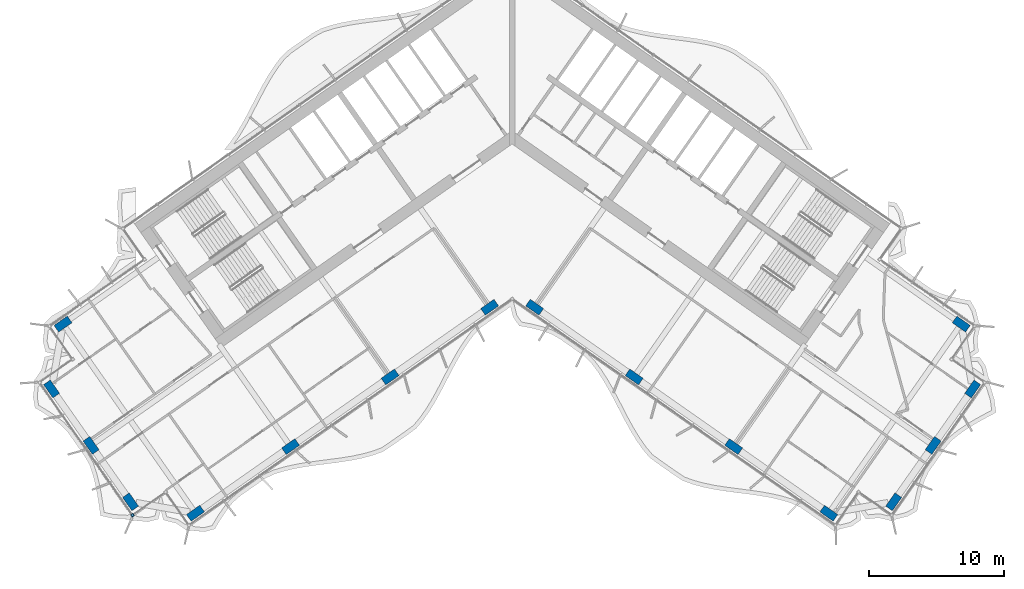
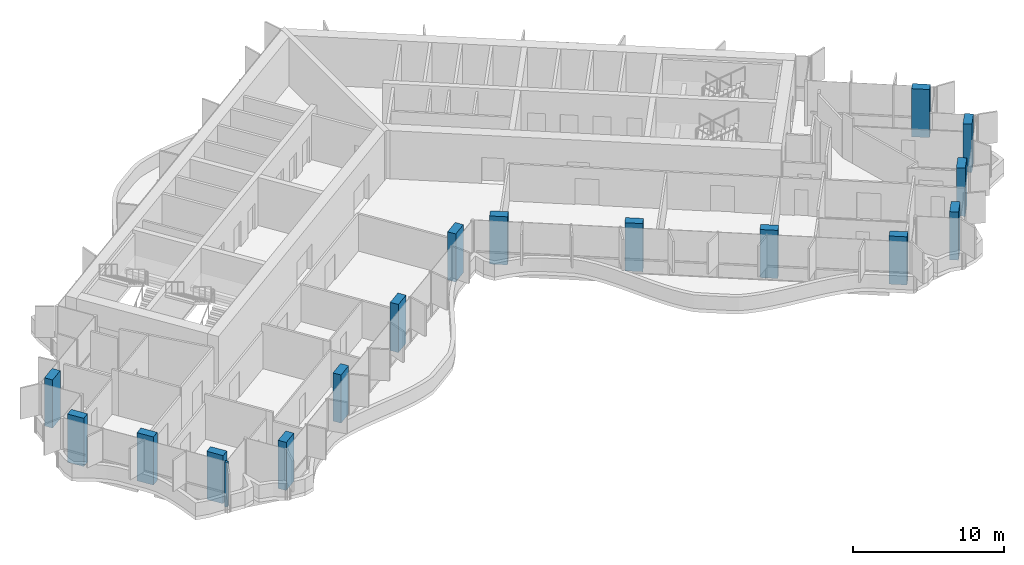
# One storey, part 1 of 21: 16 columns, 1 member, 1 element without a shape of its own.
"""IFC4 building model written with IfcOpenShell, lengths in metres."""

from ifc_helpers import new_model, si_unit, direction, frame, origin, origin_2d, place, context, subcontext, project, spatial, rectangle, extrude, material, material_profile, profile_set, type_object, element, aggregate, save


model = new_model("IFC4")

# Units and contexts
model_context = context("Model", 3, precision=1e-05, world=origin(), true_north=direction((0.0, 1.0)))
body_context = subcontext(model_context, "Body", "Model", "MODEL_VIEW")
ifc_project = project(units=[si_unit("LENGTHUNIT", "METRE"), si_unit("AREAUNIT", "SQUARE_METRE"), si_unit("VOLUMEUNIT", "CUBIC_METRE"), si_unit("PLANEANGLEUNIT", "RADIAN"), si_unit("MASSUNIT", "GRAM", prefix="KILO")], contexts=[model_context])

# Site, building, storey
site_placement = place(None, origin())
site = spatial("IfcSite", under=ifc_project, at=site_placement, CompositionType="ELEMENT")
building_placement = place(site_placement, origin())
building = spatial("IfcBuilding", under=site, at=building_placement, Name="Tel Ilan Convention Tower", CompositionType="ELEMENT")
storey_placement = place(building_placement, frame((0.0, 0.0, 210.0)))
storey = spatial("IfcBuildingStorey", under=building, at=storey_placement, Name="L49", CompositionType="ELEMENT", Elevation=210.0)

# Columns
ifc_material_1 = material(Name="Concrete C50/60", Category="concrete")
ifc_material_profile_1 = material_profile(ifc_material_1, rectangle(XDim=1.199951171875, YDim=0.60009765625, at=origin_2d()), Name="RC 600x1200")
ifc_profile_set_1 = profile_set([ifc_material_profile_1], Name="Concrete C50/60")
column_type = type_object("IfcColumnType", Name="Column RC 600x1200 C50/60", PredefinedType="COLUMN", material=ifc_profile_set_1)
for number, where, z_axis, x_axis, name in (
    (1, (-1.665283203125, -13.312744140625, 0.0), (0.0, 0.0, 1.0), (-0.819152044289, -0.573576436351, 0.0), "L49 column W-F1"),
    (2, (-9.03759765625, -18.474853515625, 0.0), (0.0, 0.0, 1.0), (-0.819152044289, -0.573576436351, 0.0), "L49 column W-F2"),
    (3, (-16.409912109375, -23.63720703125, 0.0), (0.0, 0.0, 1.0), (-0.819152044289, -0.573576436351, 0.0), "L49 column W-F3"),
    (4, (-23.45458984375, -28.56982421875, 0.0), (0.0, 0.0, 1.0), (-0.819152044289, -0.573576436351, 0.0), "L49 column W-FC"),
    (5, (-33.262939453125, -14.5625, 0.0), (0.0, 0.0, 1.0), (-0.819152044289, -0.573576436351, 0.0), "L49 column W-BC"),
    (6, (-28.259521484375, -27.72265625, 0.0), (0.0, 0.0, 1.0), (-0.573576436351, 0.819152044289, 0.0), "L49 column W-E1"),
    (7, (-31.184814453125, -23.544921875, 0.0), (0.0, 0.0, 1.0), (-0.573576436351, 0.819152044289, 0.0), "L49 column W-E2"),
    (8, (-34.110107421875, -19.3671875, 0.0), (0.0, 0.0, 1.0), (-0.573576436351, 0.819152044289, 0.0), "L49 column W-E3"),
    (9, (1.665283203125, -13.312744140625, 0.0), (0.0, 0.0, 1.0), (0.819152044289, -0.573576436351, 0.0), "L49 column E-F1"),
    (10, (9.03759765625, -18.474853515625, 0.0), (0.0, 0.0, 1.0), (0.819152044289, -0.573576436351, 0.0), "L49 column E-F2"),
    (11, (16.409912109375, -23.63720703125, 0.0), (0.0, 0.0, 1.0), (0.819152044289, -0.573576436351, 0.0), "L49 column E-F3"),
    (12, (23.45458984375, -28.56982421875, 0.0), (0.0, 0.0, 1.0), (0.819152044289, -0.573576436351, 0.0), "L49 column E-FC"),
    (13, (33.262939453125, -14.5625, 0.0), (0.0, 0.0, 1.0), (0.819152044289, -0.573576436351, 0.0), "L49 column E-BC"),
    (14, (28.259521484375, -27.72265625, 0.0), (0.0, 0.0, 1.0), (0.573576436351, 0.819152044289, 0.0), "L49 column E-E1"),
    (15, (31.184814453125, -23.544921875, 0.0), (0.0, 0.0, 1.0), (0.573576436351, 0.819152044289, 0.0), "L49 column E-E2"),
    (16, (34.110107421875, -19.3671875, 0.0), (0.0, 0.0, 1.0), (0.573576436351, 0.819152044289, 0.0), "L49 column E-E3"),
):
    element("IfcColumn", number, at=place(storey_placement, frame(where, z_axis=z_axis, x_axis=x_axis)), inside=storey, type_object=column_type, Name=name, PredefinedType="COLUMN", context=body_context, shape_type="SweptSolid", body=[
        extrude(rectangle(XDim=1.199951171875, YDim=0.60009765625, at=origin_2d()), origin(), (0.0, 0.0, 1.0), 3.89990234375),
    ])

# Curtain wall, member
ifc_material_2 = material(Name="Aluminium, bronze anodised", Category="aluminium")
curtain_wall_type = type_object("IfcCurtainWallType", Name="CW4 STICK CURTAIN WALL, OFFICE TINTED GLASS", PredefinedType="NOTDEFINED", material=ifc_material_2)
curtain_wall_placement = place(storey_placement, origin())
curtain_wall = element("IfcCurtainWall", 17, at=curtain_wall_placement, inside=storey, type_object=curtain_wall_type, Name="Curtain wall CW4-38.02", PredefinedType="NOTDEFINED")
ifc_material_3 = material(Name="Aluminium, bronze anodised", Category="aluminium")
ifc_material_profile_2 = material_profile(ifc_material_3, rectangle(XDim=0.199951171875, YDim=0.199951171875, at=origin_2d()), Name="CW CORNER MULLION 200x200")
ifc_profile_set_2 = profile_set([ifc_material_profile_2], Name="Aluminium, bronze anodised")
member_type = type_object("IfcMemberType", Name="CW CORNER MULLION 200x200", PredefinedType="MULLION", material=ifc_profile_set_2)
member_placement = place(storey_placement, frame((-28.112060546875, -28.718017578125, 0.0), z_axis=(0.0, 0.0, 1.0), x_axis=(0.573576436351, -0.819152044289, 0.0)))
member = element("IfcMember", 18, at=member_placement, type_object=member_type, Name="Corner mullion", PredefinedType="MULLION", context=body_context, shape_type="SweptSolid", body=[
    extrude(rectangle(XDim=0.199951171875, YDim=0.199951171875, at=origin_2d()), origin(), (0.0, 0.0, 1.0), 3.6201171875),
])
aggregate(curtain_wall, [member])

save(model, "model.ifc")
